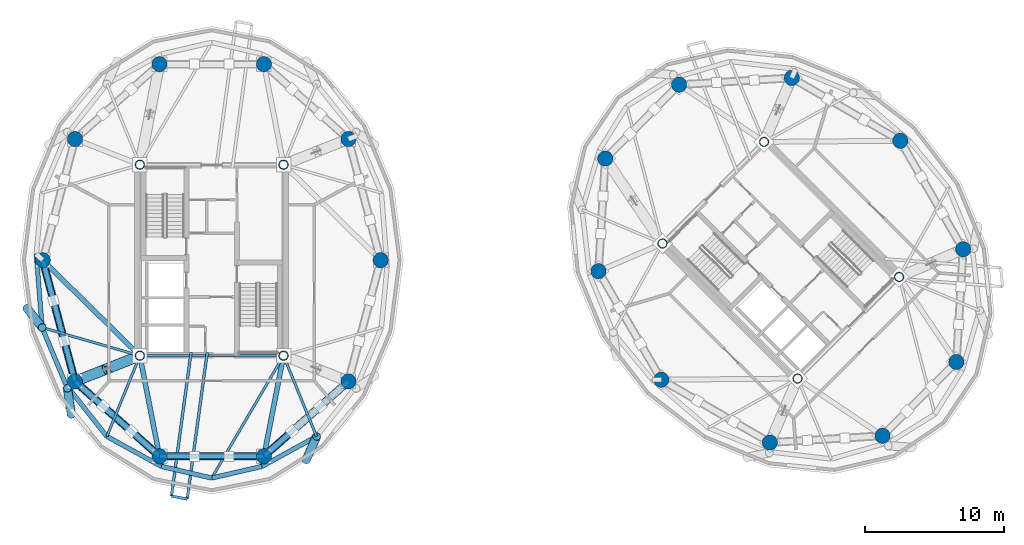
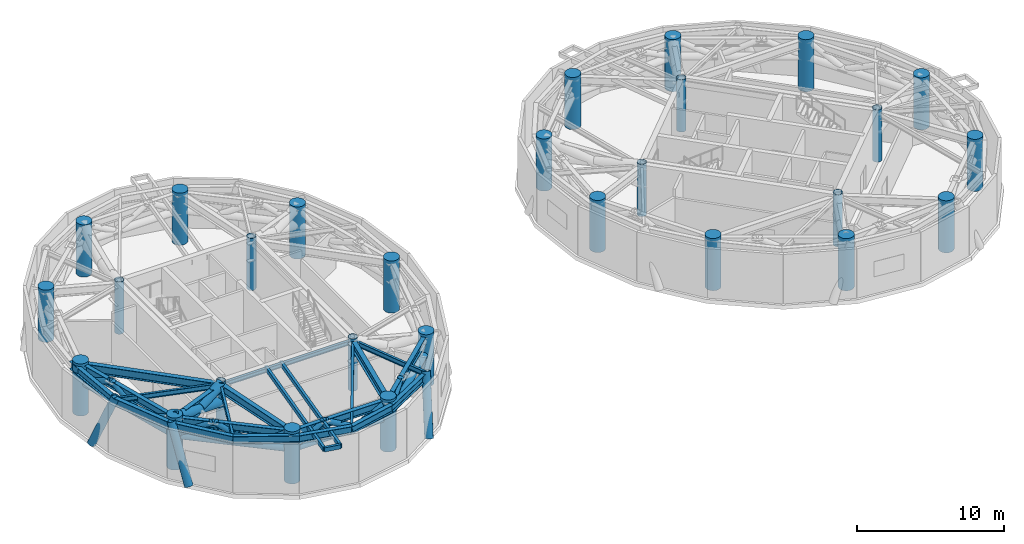
# One storey, part 1 of 14: 28 columns, 23 beams, 20 members.
"""IFC4 building model written with IfcOpenShell, lengths in metres."""

from ifc_helpers import new_model, si_unit, direction, frame, origin, origin_2d, place, context, subcontext, project, spatial, hollow_rectangle, circle, hollow_circle, i_section, extrude, material, material_profile, profile_set, type_object, element, save


model = new_model("IFC4")

# Units and contexts
model_context = context("Model", 3, precision=1e-05, world=origin(), true_north=direction((0.0, 1.0)))
body_context = subcontext(model_context, "Body", "Model", "MODEL_VIEW")
ifc_project = project(units=[si_unit("LENGTHUNIT", "METRE"), si_unit("AREAUNIT", "SQUARE_METRE"), si_unit("VOLUMEUNIT", "CUBIC_METRE"), si_unit("PLANEANGLEUNIT", "RADIAN"), si_unit("MASSUNIT", "GRAM", prefix="KILO")], contexts=[model_context])

# Site, building, storey
site_placement = place(None, origin())
site = spatial("IfcSite", under=ifc_project, at=site_placement, CompositionType="ELEMENT")
building_placement = place(site_placement, origin())
building = spatial("IfcBuilding", under=site, at=building_placement, Name="Cununo Teusaquillo Station Towers", CompositionType="ELEMENT")
storey_placement = place(building_placement, frame((0.0, 0.0, 192.340087890625)))
storey = spatial("IfcBuildingStorey", under=building, at=storey_placement, Name="L61", CompositionType="ELEMENT", Elevation=192.340087890625)

# Columns
ifc_material_1 = material(Name="Steel EN 10025-2 S355J2", Category="steel")
ifc_material_profile_1 = material_profile(ifc_material_1, hollow_circle(Radius=0.330078125, WallThickness=0.02490234375, at=origin_2d()), Name="CHS 660x25")
ifc_profile_set_1 = profile_set([ifc_material_profile_1], Name="Steel EN 10025-2 S355J2")
column_type_1 = type_object("IfcColumnType", Name="COL-CORE-Z3", PredefinedType="COLUMN", material=ifc_profile_set_1)
for number, where, z_axis, x_axis, name in (
    (1, (11.324951171875, 17.6201171875, 0.0), (0.0, 0.0, 1.0), (1.0, 0.0, 0.0), "L61 Tower A Core Column 1"),
    (2, (11.324951171875, 31.3798828125, 0.0), (0.0, 0.0, 1.0), (1.0, 0.0, 0.0), "L61 Tower A Core Column 2"),
    (3, (21.675048828125, 17.6201171875, 0.0), (0.0, 0.0, 1.0), (1.0, 0.0, 0.0), "L61 Tower A Core Column 3"),
    (4, (21.675048828125, 31.3798828125, 0.0), (0.0, 0.0, 1.0), (1.0, 0.0, 0.0), "L61 Tower A Core Column 4"),
    (5, (58.70556640625, 15.975830078125, 0.0), (0.0, 0.0, 1.0), (0.707106781187, 0.707106781187, 0.0), "L61 Tower B Core Column 1"),
    (6, (48.975830078125, 25.70556640625, 0.0), (0.0, 0.0, 1.0), (0.707106781187, 0.707106781187, 0.0), "L61 Tower B Core Column 2"),
    (7, (66.024169921875, 23.29443359375, 0.0), (0.0, 0.0, 1.0), (0.707106781187, 0.707106781187, 0.0), "L61 Tower B Core Column 3"),
    (8, (56.29443359375, 33.024169921875, 0.0), (0.0, 0.0, 1.0), (0.707106781187, 0.707106781187, 0.0), "L61 Tower B Core Column 4"),
):
    element("IfcColumn", number, at=place(storey_placement, frame(where, z_axis=z_axis, x_axis=x_axis)), inside=storey, type_object=column_type_1, Name=name, PredefinedType="COLUMN", context=body_context, shape_type="SweptSolid", body=[
        extrude(hollow_circle(Radius=0.330078125, WallThickness=0.02490234375, at=origin_2d()), origin(), (0.0, 0.0, 1.0), 4.31982421875),
    ])
ifc_material_2 = material(Name="Concrete C50/60", Category="concrete")
ifc_material_profile_2 = material_profile(ifc_material_2, circle(Radius=0.550048828125, at=origin_2d()), Name="RC-CIRC-1100")
ifc_profile_set_2 = profile_set([ifc_material_profile_2], Name="Concrete C50/60")
column_type_2 = type_object("IfcColumnType", Name="COL-MEGA-Z4", PredefinedType="USERDEFINED", material=ifc_profile_set_2)
for number, where, z_axis, x_axis, name in (
    (9, (28.672119140625, 24.5, 0.0), (0.0, 0.0, 1.0), (1.0, 0.0, 0.0), "L61 Tower A Perimeter Column V00"),
    (10, (26.347412109375, 33.228515625, 0.0), (0.0, 0.0, 1.0), (1.0, 0.0, 0.0), "L61 Tower A Perimeter Column V02"),
    (11, (20.261474609375, 38.623291015625, 0.0), (0.0, 0.0, 1.0), (1.0, 0.0, 0.0), "L61 Tower A Perimeter Column V04"),
    (12, (12.738525390625, 38.623291015625, 0.0), (0.0, 0.0, 1.0), (1.0, 0.0, 0.0), "L61 Tower A Perimeter Column V06"),
    (13, (6.652587890625, 33.228515625, 0.0), (0.0, 0.0, 1.0), (1.0, 0.0, 0.0), "L61 Tower A Perimeter Column V08"),
    (14, (4.327880859375, 24.5, 0.0), (0.0, 0.0, 1.0), (1.0, 0.0, 0.0), "L61 Tower A Perimeter Column V10"),
    (15, (6.652587890625, 15.771484375, 0.0), (0.0, 0.0, 1.0), (1.0, 0.0, 0.0), "L61 Tower A Perimeter Column V12"),
    (16, (12.738525390625, 10.376708984375, 0.0), (0.0, 0.0, 1.0), (1.0, 0.0, 0.0), "L61 Tower A Perimeter Column V14"),
    (17, (20.261474609375, 10.376708984375, 0.0), (0.0, 0.0, 1.0), (1.0, 0.0, 0.0), "L61 Tower A Perimeter Column V16"),
    (18, (26.347412109375, 15.771484375, 0.0), (0.0, 0.0, 1.0), (1.0, 0.0, 0.0), "L61 Tower A Perimeter Column V18"),
    (19, (66.10693359375, 33.10693359375, 0.0), (0.0, 0.0, 1.0), (1.0, 0.0, 0.0), "L61 Tower B Perimeter Column V00"),
    (20, (58.291015625, 37.63525390625, 0.0), (0.0, 0.0, 1.0), (1.0, 0.0, 0.0), "L61 Tower B Perimeter Column V02"),
    (21, (50.173095703125, 37.146240234375, 0.0), (0.0, 0.0, 1.0), (1.0, 0.0, 0.0), "L61 Tower B Perimeter Column V04"),
    (22, (44.853759765625, 31.826904296875, 0.0), (0.0, 0.0, 1.0), (1.0, 0.0, 0.0), "L61 Tower B Perimeter Column V06"),
    (23, (44.36474609375, 23.708984375, 0.0), (0.0, 0.0, 1.0), (1.0, 0.0, 0.0), "L61 Tower B Perimeter Column V08"),
    (24, (48.89306640625, 15.89306640625, 0.0), (0.0, 0.0, 1.0), (1.0, 0.0, 0.0), "L61 Tower B Perimeter Column V10"),
    (25, (56.708984375, 11.36474609375, 0.0), (0.0, 0.0, 1.0), (1.0, 0.0, 0.0), "L61 Tower B Perimeter Column V12"),
    (26, (64.826904296875, 11.853759765625, 0.0), (0.0, 0.0, 1.0), (1.0, 0.0, 0.0), "L61 Tower B Perimeter Column V14"),
    (27, (70.146240234375, 17.173095703125, 0.0), (0.0, 0.0, 1.0), (1.0, 0.0, 0.0), "L61 Tower B Perimeter Column V16"),
    (28, (70.63525390625, 25.291015625, 0.0), (0.0, 0.0, 1.0), (1.0, 0.0, 0.0), "L61 Tower B Perimeter Column V18"),
):
    element("IfcColumn", number, at=place(storey_placement, frame(where, z_axis=z_axis, x_axis=x_axis)), inside=storey, type_object=column_type_2, Name=name, ObjectType="MEGA COLUMN", PredefinedType="USERDEFINED", context=body_context, shape_type="SweptSolid", body=[
        extrude(circle(Radius=0.550048828125, at=origin_2d()), origin(), (0.0, 0.0, 1.0), 4.31982421875),
    ])

# Beams
ifc_material_3 = material(Name="Steel EN 10025-2 S355J2", Category="steel")
ifc_material_profile_3 = material_profile(ifc_material_3, hollow_rectangle(XDim=0.199951171875, YDim=0.35009765625, WallThickness=0.013916015625, at=origin_2d()), Name="RHS 350x200x14")
ifc_profile_set_3 = profile_set([ifc_material_profile_3], Name="Steel EN 10025-2 S355J2")
beam_type_1 = type_object("IfcBeamType", Name="BM-BAL-CANT", PredefinedType="BEAM", material=ifc_profile_set_3)
beam_1_placement = place(storey_placement, frame((15.0107421875, 17.85009765625, 3.934814453125), z_axis=(-0.135018196505, -0.990843119072, 0.0), x_axis=(0.990843119072, -0.135018196505, 0.0)))
element("IfcBeam", 29, at=beam_1_placement, inside=storey, type_object=beam_type_1, Name="L61 Tower A Balcony Cantilever Bracket 2A", PredefinedType="BEAM", context=body_context, shape_type="SweptSolid", body=[
    extrude(hollow_rectangle(XDim=0.199951171875, YDim=0.35009765625, WallThickness=0.013916015625, at=origin_2d()), origin(), (0.0, 0.0, 1.0), 10.43505859375),
])
beam_2_placement = place(storey_placement, frame((16.177001953125, 17.85009765625, 3.934814453125), z_axis=(-0.135006880627, -0.990844660975, 0.0), x_axis=(0.990844660975, -0.135006880627, 0.0)))
element("IfcBeam", 30, at=beam_2_placement, inside=storey, type_object=beam_type_1, Name="L61 Tower A Balcony Cantilever Bracket 2B", PredefinedType="BEAM", context=body_context, shape_type="SweptSolid", body=[
    extrude(hollow_rectangle(XDim=0.199951171875, YDim=0.35009765625, WallThickness=0.013916015625, at=origin_2d()), origin(), (0.0, 0.0, 1.0), 10.65673828125),
])
ifc_material_4 = material(Name="Steel ASTM A572 Grade 50", Category="steel")
ifc_material_profile_4 = material_profile(ifc_material_4, i_section(OverallWidth=0.180908203125, OverallDepth=0.4169921875, WebThickness=0.010986328125, FlangeThickness=0.018310546875, FilletRadius=0.012939453125, at=origin_2d()), Name="W16X57")
ifc_profile_set_4 = profile_set([ifc_material_profile_4], Name="Steel ASTM A572 Grade 50")
beam_type_2 = type_object("IfcBeamType", Name="BM-JOIST-1", PredefinedType="JOIST", material=ifc_profile_set_4)
beam_3_placement = place(storey_placement, frame((11.324951171875, 17.6201171875, 3.9013671875), z_axis=(-0.960861603375, 0.277028841748, 0.0), x_axis=(-0.277028841748, -0.960861603375, 0.0)))
element("IfcBeam", 31, at=beam_3_placement, inside=storey, type_object=beam_type_2, Name="L61 Tower A Radial Spandrel Joist V11", PredefinedType="JOIST", context=body_context, shape_type="SweptSolid", body=[
    extrude(i_section(OverallWidth=0.180908203125, OverallDepth=0.4169921875, WebThickness=0.010986328125, FlangeThickness=0.018310546875, FilletRadius=0.012939453125, at=origin_2d()), origin(), (0.0, 0.0, 1.0), 7.333251953125),
])
beam_4_placement = place(storey_placement, frame((11.324951171875, 17.6201171875, 3.9013671875), z_axis=(-0.378576847217, -0.925569862707, 0.0), x_axis=(0.925569862707, -0.378576847217, 0.0)))
element("IfcBeam", 32, at=beam_4_placement, inside=storey, type_object=beam_type_2, Name="L61 Tower A Radial Spandrel Joist V13", PredefinedType="JOIST", context=body_context, shape_type="SweptSolid", body=[
    extrude(i_section(OverallWidth=0.180908203125, OverallDepth=0.4169921875, WebThickness=0.010986328125, FlangeThickness=0.018310546875, FilletRadius=0.012939453125, at=origin_2d()), origin(), (0.0, 0.0, 1.0), 6.28125),
])
beam_5_placement = place(storey_placement, frame((21.675048828125, 17.6201171875, 3.9013671875), z_axis=(-0.506486432091, -0.862247930765, 0.0), x_axis=(0.862247930765, -0.506486432091, 0.0)))
element("IfcBeam", 33, at=beam_5_placement, inside=storey, type_object=beam_type_2, Name="L61 Tower A Radial Spandrel Joist V15", PredefinedType="JOIST", context=body_context, shape_type="SweptSolid", body=[
    extrude(i_section(OverallWidth=0.180908203125, OverallDepth=0.4169921875, WebThickness=0.010986328125, FlangeThickness=0.018310546875, FilletRadius=0.012939453125, at=origin_2d()), origin(), (0.0, 0.0, 1.0), 10.217529296875),
])
beam_6_placement = place(storey_placement, frame((21.675048828125, 17.6201171875, 3.9013671875), z_axis=(0.378576847217, -0.925569862707, 0.0), x_axis=(0.925569862707, 0.378576847217, 0.0)))
element("IfcBeam", 34, at=beam_6_placement, inside=storey, type_object=beam_type_2, Name="L61 Tower A Radial Spandrel Joist V17", PredefinedType="JOIST", context=body_context, shape_type="SweptSolid", body=[
    extrude(i_section(OverallWidth=0.180908203125, OverallDepth=0.4169921875, WebThickness=0.010986328125, FlangeThickness=0.018310546875, FilletRadius=0.012939453125, at=origin_2d()), origin(), (0.0, 0.0, 1.0), 6.28125),
])
ifc_material_5 = material(Name="Steel ASTM A572 Grade 50", Category="steel")
ifc_material_profile_5 = material_profile(ifc_material_5, i_section(OverallWidth=0.2041015625, OverallDepth=0.35009765625, WebThickness=0.008544921875, FlangeThickness=0.01513671875, FilletRadius=0.011962890625, at=origin_2d()), Name="W14X48")
ifc_profile_set_5 = profile_set([ifc_material_profile_5], Name="Steel ASTM A572 Grade 50")
beam_type_3 = type_object("IfcBeamType", Name="BM-LINTEL-1", PredefinedType="LINTEL", material=ifc_profile_set_5)
beam_7_placement = place(storey_placement, frame((11.324951171875, 17.6201171875, 3.934814453125), z_axis=(1.0, 0.0, 0.0), x_axis=(0.0, 1.0, 0.0)))
element("IfcBeam", 35, at=beam_7_placement, inside=storey, type_object=beam_type_3, Name="L61 Tower A Core Beam 3", PredefinedType="LINTEL", context=body_context, shape_type="SweptSolid", body=[
    extrude(i_section(OverallWidth=0.2041015625, OverallDepth=0.35009765625, WebThickness=0.008544921875, FlangeThickness=0.01513671875, FilletRadius=0.011962890625, at=origin_2d()), origin(), (0.0, 0.0, 1.0), 10.35009765625),
])
ifc_material_6 = material(Name="Steel ASTM A572 Grade 50", Category="steel")
ifc_material_profile_6 = material_profile(ifc_material_6, i_section(OverallWidth=0.35498046875, OverallDepth=0.696044921875, WebThickness=0.015380859375, FlangeThickness=0.02490234375, FilletRadius=0.01806640625, at=origin_2d()), Name="W27X146")
ifc_profile_set_6 = profile_set([ifc_material_profile_6], Name="Steel ASTM A572 Grade 50")
beam_type_4 = type_object("IfcBeamType", Name="BM-PLNT-G1", PredefinedType="BEAM", material=ifc_profile_set_6)
beam_8_placement = place(storey_placement, frame((11.324951171875, 17.6201171875, 3.761962890625), z_axis=(-0.713052701438, 0.701110437073, 0.0), x_axis=(-0.701110437073, -0.713052701438, 0.0)))
element("IfcBeam", 36, at=beam_8_placement, inside=storey, type_object=beam_type_4, Name="L61 Tower A Radial Girder 06A", PredefinedType="BEAM", context=body_context, shape_type="SweptSolid", body=[
    extrude(i_section(OverallWidth=0.35498046875, OverallDepth=0.696044921875, WebThickness=0.015380859375, FlangeThickness=0.02490234375, FilletRadius=0.01806640625, at=origin_2d()), origin(), (0.0, 0.0, 1.0), 9.812744140625),
])
beam_9_placement = place(storey_placement, frame((11.324951171875, 17.6201171875, 3.761962890625), z_axis=(-0.929851670487, -0.36793460138, 0.0), x_axis=(0.36793460138, -0.929851670487, 0.0)))
element("IfcBeam", 37, at=beam_9_placement, inside=storey, type_object=beam_type_4, Name="L61 Tower A Continuous Overhanging Radial Girder 07", PredefinedType="BEAM", context=body_context, shape_type="SweptSolid", body=[
    extrude(i_section(OverallWidth=0.35498046875, OverallDepth=0.696044921875, WebThickness=0.015380859375, FlangeThickness=0.02490234375, FilletRadius=0.01806640625, at=origin_2d()), origin(), (0.0, 0.0, 1.0), 5.71630859375),
])
for number, where, z_axis, x_axis, name in (
    (38, (11.324951171875, 17.6201171875, 3.761962890625), (0.191548487699, -0.981483151593, 0.0), (0.981483151593, 0.191548487699, 0.0), "L61 Tower A Continuous Overhanging Radial Girder 08"),
    (39, (21.675048828125, 17.6201171875, 3.761962890625), (-0.191548487699, -0.981483151593, 0.0), (0.981483151593, -0.191548487699, 0.0), "L61 Tower A Continuous Overhanging Radial Girder 09"),
):
    element("IfcBeam", number, at=place(storey_placement, frame(where, z_axis=z_axis, x_axis=x_axis)), inside=storey, type_object=beam_type_4, Name=name, PredefinedType="BEAM", context=body_context, shape_type="SweptSolid", body=[
        extrude(i_section(OverallWidth=0.35498046875, OverallDepth=0.696044921875, WebThickness=0.015380859375, FlangeThickness=0.02490234375, FilletRadius=0.01806640625, at=origin_2d()), origin(), (0.0, 0.0, 1.0), 8.1240234375),
    ])
ifc_material_7 = material(Name="Steel ASTM A572 Grade 50", Category="steel")
ifc_material_profile_7 = material_profile(ifc_material_7, i_section(OverallWidth=0.324951171875, OverallDepth=0.615966796875, WebThickness=0.013916015625, FlangeThickness=0.021484375, FilletRadius=0.01611328125, at=origin_2d()), Name="W24X117")
ifc_profile_set_7 = profile_set([ifc_material_profile_7], Name="Steel ASTM A572 Grade 50")
beam_type_5 = type_object("IfcBeamType", Name="BM-PLNT-G2", PredefinedType="BEAM", material=ifc_profile_set_7)
beam_10_placement = place(storey_placement, frame((4.327880859375, 24.5, 3.802001953125), z_axis=(0.257363196347, -0.966314744359, 0.0), x_axis=(0.966314744359, 0.257363196347, 0.0)))
element("IfcBeam", 40, at=beam_10_placement, inside=storey, type_object=beam_type_5, Name="L61 Tower A Structural Column Ring Girder 06", PredefinedType="BEAM", context=body_context, shape_type="SweptSolid", body=[
    extrude(i_section(OverallWidth=0.324951171875, OverallDepth=0.615966796875, WebThickness=0.013916015625, FlangeThickness=0.021484375, FilletRadius=0.01611328125, at=origin_2d()), origin(), (0.0, 0.0, 1.0), 9.03271484375),
])
beam_11_placement = place(storey_placement, frame((6.652587890625, 15.771484375, 3.802001953125), z_axis=(0.74832120039, -0.66333655187, 0.0), x_axis=(0.66333655187, 0.74832120039, 0.0)))
element("IfcBeam", 41, at=beam_11_placement, inside=storey, type_object=beam_type_5, Name="L61 Tower A Structural Column Ring Girder 07", PredefinedType="BEAM", context=body_context, shape_type="SweptSolid", body=[
    extrude(i_section(OverallWidth=0.324951171875, OverallDepth=0.615966796875, WebThickness=0.013916015625, FlangeThickness=0.021484375, FilletRadius=0.01611328125, at=origin_2d()), origin(), (0.0, 0.0, 1.0), 8.1328125),
])
beam_12_placement = place(storey_placement, frame((12.738525390625, 10.376708984375, 3.802001953125), z_axis=(1.0, 0.0, 0.0), x_axis=(0.0, 1.0, 0.0)))
element("IfcBeam", 42, at=beam_12_placement, inside=storey, type_object=beam_type_5, Name="L61 Tower A Structural Column Ring Girder 08", PredefinedType="BEAM", context=body_context, shape_type="SweptSolid", body=[
    extrude(i_section(OverallWidth=0.324951171875, OverallDepth=0.615966796875, WebThickness=0.013916015625, FlangeThickness=0.021484375, FilletRadius=0.01611328125, at=origin_2d()), origin(), (0.0, 0.0, 1.0), 7.52294921875),
])
beam_13_placement = place(storey_placement, frame((20.261474609375, 10.376708984375, 3.802001953125), z_axis=(0.74832120039, 0.66333655187, 0.0), x_axis=(-0.66333655187, 0.74832120039, 0.0)))
element("IfcBeam", 43, at=beam_13_placement, inside=storey, type_object=beam_type_5, Name="L61 Tower A Structural Column Ring Girder 09", PredefinedType="BEAM", context=body_context, shape_type="SweptSolid", body=[
    extrude(i_section(OverallWidth=0.324951171875, OverallDepth=0.615966796875, WebThickness=0.013916015625, FlangeThickness=0.021484375, FilletRadius=0.01611328125, at=origin_2d()), origin(), (0.0, 0.0, 1.0), 8.1328125),
])
beam_14_placement = place(storey_placement, frame((3.864501953125, 24.955810546875, 3.802001953125), z_axis=(0.077871988965, -0.996963366095, 0.0), x_axis=(0.996963366095, 0.077871988965, 0.0)))
element("IfcBeam", 44, at=beam_14_placement, inside=storey, type_object=beam_type_5, Name="L61 Tower A Spandrel Ring Beam 11", PredefinedType="BEAM", context=body_context, shape_type="SweptSolid", body=[
    extrude(i_section(OverallWidth=0.324951171875, OverallDepth=0.615966796875, WebThickness=0.013916015625, FlangeThickness=0.021484375, FilletRadius=0.01611328125, at=origin_2d()), origin(), (0.0, 0.0, 1.0), 5.3203125),
])
beam_15_placement = place(storey_placement, frame((4.27880859375, 19.651611328125, 3.802001953125), z_axis=(0.386115454066, -0.922450462698, 0.0), x_axis=(0.922450462698, 0.386115454066, 0.0)))
element("IfcBeam", 45, at=beam_15_placement, inside=storey, type_object=beam_type_5, Name="L61 Tower A Spandrel Ring Beam 12", PredefinedType="BEAM", context=body_context, shape_type="SweptSolid", body=[
    extrude(i_section(OverallWidth=0.324951171875, OverallDepth=0.615966796875, WebThickness=0.013916015625, FlangeThickness=0.021484375, FilletRadius=0.01611328125, at=origin_2d()), origin(), (0.0, 0.0, 1.0), 4.482421875),
])
beam_16_placement = place(storey_placement, frame((6.009521484375, 15.516845703125, 3.802001953125), z_axis=(0.620710872531, -0.784039547932, 0.0), x_axis=(0.784039547932, 0.620710872531, 0.0)))
element("IfcBeam", 46, at=beam_16_placement, inside=storey, type_object=beam_type_5, Name="L61 Tower A Spandrel Ring Beam 13", PredefinedType="BEAM", context=body_context, shape_type="SweptSolid", body=[
    extrude(i_section(OverallWidth=0.324951171875, OverallDepth=0.615966796875, WebThickness=0.013916015625, FlangeThickness=0.021484375, FilletRadius=0.01611328125, at=origin_2d()), origin(), (0.0, 0.0, 1.0), 4.732421875),
])
beam_17_placement = place(storey_placement, frame((8.947021484375, 11.806396484375, 3.802001953125), z_axis=(0.876576300909, -0.481262910149, 0.0), x_axis=(0.481262910149, 0.876576300909, 0.0)))
element("IfcBeam", 47, at=beam_17_placement, inside=storey, type_object=beam_type_5, Name="L61 Tower A Spandrel Ring Beam 14", PredefinedType="BEAM", context=body_context, shape_type="SweptSolid", body=[
    extrude(i_section(OverallWidth=0.324951171875, OverallDepth=0.615966796875, WebThickness=0.013916015625, FlangeThickness=0.021484375, FilletRadius=0.01611328125, at=origin_2d()), origin(), (0.0, 0.0, 1.0), 4.488037109375),
])
for number, where, z_axis, x_axis, name in (
    (48, (12.881103515625, 9.646484375, 3.802001953125), (0.97431470066, -0.225190728224, 0.0), (0.225190728224, 0.97431470066, 0.0), "L61 Tower A Spandrel Ring Beam 15"),
    (49, (16.5, 8.81005859375, 3.802001953125), (0.97431470066, 0.225190728224, 0.0), (-0.225190728224, 0.97431470066, 0.0), "L61 Tower A Spandrel Ring Beam 16"),
):
    element("IfcBeam", number, at=place(storey_placement, frame(where, z_axis=z_axis, x_axis=x_axis)), inside=storey, type_object=beam_type_5, Name=name, PredefinedType="BEAM", context=body_context, shape_type="SweptSolid", body=[
        extrude(i_section(OverallWidth=0.324951171875, OverallDepth=0.615966796875, WebThickness=0.013916015625, FlangeThickness=0.021484375, FilletRadius=0.01611328125, at=origin_2d()), origin(), (0.0, 0.0, 1.0), 3.71435546875),
    ])
beam_18_placement = place(storey_placement, frame((20.118896484375, 9.646484375, 3.802001953125), z_axis=(0.876576300909, 0.481262910149, 0.0), x_axis=(-0.481262910149, 0.876576300909, 0.0)))
element("IfcBeam", 50, at=beam_18_placement, inside=storey, type_object=beam_type_5, Name="L61 Tower A Spandrel Ring Beam 17", PredefinedType="BEAM", context=body_context, shape_type="SweptSolid", body=[
    extrude(i_section(OverallWidth=0.324951171875, OverallDepth=0.615966796875, WebThickness=0.013916015625, FlangeThickness=0.021484375, FilletRadius=0.01611328125, at=origin_2d()), origin(), (0.0, 0.0, 1.0), 4.488037109375),
])
ifc_material_8 = material(Name="Steel EN 10025-2 S355J2", Category="steel")
ifc_material_profile_8 = material_profile(ifc_material_8, hollow_rectangle(XDim=0.199951171875, YDim=0.35009765625, WallThickness=0.013916015625, at=origin_2d()), Name="RHS 350x200x14")
ifc_profile_set_8 = profile_set([ifc_material_profile_8], Name="Steel EN 10025-2 S355J2")
beam_type_6 = type_object("IfcBeamType", Name="BM-STAIR-TRIM", PredefinedType="BEAM", material=ifc_profile_set_8)
beam_19_placement = place(storey_placement, frame((13.601806640625, 7.510498046875, 3.934814453125), z_axis=(0.981857200028, -0.189621830897, 0.0), x_axis=(0.189621830897, 0.981857200028, 0.0)))
element("IfcBeam", 51, at=beam_19_placement, inside=storey, type_object=beam_type_6, Name="L61 Tower A Balcony Edge Trimmer Beam 2", PredefinedType="BEAM", context=body_context, shape_type="SweptSolid", body=[
    extrude(hollow_rectangle(XDim=0.199951171875, YDim=0.35009765625, WallThickness=0.013916015625, at=origin_2d()), origin(), (0.0, 0.0, 1.0), 1.157470703125),
])

# Members
ifc_material_9 = material(Name="Steel EN 10025-2 S355J2", Category="steel")
ifc_material_profile_9 = material_profile(ifc_material_9, hollow_circle(Radius=0.279541015625, WallThickness=0.02001953125, at=origin_2d()), Name="CHS 559x20")
ifc_profile_set_9 = profile_set([ifc_material_profile_9], Name="Steel EN 10025-2 S355J2")
member_type_1 = type_object("IfcMemberType", Name="MBR-BELT-CH", PredefinedType="CHORD", material=ifc_profile_set_9)
member_1_placement = place(storey_placement, frame((4.327880859375, 24.5, 2.579833984375), z_axis=(0.257363196347, -0.966314744359, 0.0), x_axis=(0.966314744359, 0.257363196347, 0.0)))
element("IfcMember", 52, at=member_1_placement, inside=storey, type_object=member_type_1, Name="L61 Tower A Belt Truss Lower Chord 06", PredefinedType="CHORD", context=body_context, shape_type="SweptSolid", body=[
    extrude(hollow_circle(Radius=0.279541015625, WallThickness=0.02001953125, at=origin_2d()), origin(), (0.0, 0.0, 1.0), 9.03271484375),
])
member_2_placement = place(storey_placement, frame((6.652587890625, 15.771484375, 2.579833984375), z_axis=(0.74832120039, -0.66333655187, 0.0), x_axis=(0.66333655187, 0.74832120039, 0.0)))
element("IfcMember", 53, at=member_2_placement, inside=storey, type_object=member_type_1, Name="L61 Tower A Belt Truss Lower Chord 07", PredefinedType="CHORD", context=body_context, shape_type="SweptSolid", body=[
    extrude(hollow_circle(Radius=0.279541015625, WallThickness=0.02001953125, at=origin_2d()), origin(), (0.0, 0.0, 1.0), 8.1328125),
])
member_3_placement = place(storey_placement, frame((12.738525390625, 10.376708984375, 2.579833984375), z_axis=(1.0, 0.0, 0.0), x_axis=(0.0, 1.0, 0.0)))
element("IfcMember", 54, at=member_3_placement, inside=storey, type_object=member_type_1, Name="L61 Tower A Belt Truss Lower Chord 08", PredefinedType="CHORD", context=body_context, shape_type="SweptSolid", body=[
    extrude(hollow_circle(Radius=0.279541015625, WallThickness=0.02001953125, at=origin_2d()), origin(), (0.0, 0.0, 1.0), 7.52294921875),
])
member_4_placement = place(storey_placement, frame((20.261474609375, 10.376708984375, 2.579833984375), z_axis=(0.74832120039, 0.66333655187, 0.0), x_axis=(-0.66333655187, 0.74832120039, 0.0)))
element("IfcMember", 55, at=member_4_placement, inside=storey, type_object=member_type_1, Name="L61 Tower A Belt Truss Lower Chord 09", PredefinedType="CHORD", context=body_context, shape_type="SweptSolid", body=[
    extrude(hollow_circle(Radius=0.279541015625, WallThickness=0.02001953125, at=origin_2d()), origin(), (0.0, 0.0, 1.0), 8.1328125),
])
ifc_material_10 = material(Name="Steel EN 10025-2 S355J2", Category="steel")
ifc_material_profile_10 = material_profile(ifc_material_10, hollow_circle(Radius=0.228515625, WallThickness=0.01611328125, at=origin_2d()), Name="CHS 457x16")
ifc_profile_set_10 = profile_set([ifc_material_profile_10], Name="Steel EN 10025-2 S355J2")
member_type_2 = type_object("IfcMemberType", Name="MBR-BELT-WB", PredefinedType="BRACE", material=ifc_profile_set_10)
member_5_placement = place(storey_placement, frame((4.327880859375, 24.5, 2.579833984375), z_axis=(0.231874873286, -0.870590064572, 0.433943524675), x_axis=(0.96631295405, 0.257369918281, 0.0)))
element("IfcMember", 56, at=member_5_placement, inside=storey, type_object=member_type_2, Name="L61 Tower A Belt Truss Warren Brace 06A", PredefinedType="BRACE", context=body_context, shape_type="SweptSolid", body=[
    extrude(hollow_circle(Radius=0.228515625, WallThickness=0.01611328125, at=origin_2d()), origin(), (0.0, 0.0, 1.0), 3.341796875),
])
member_6_placement = place(storey_placement, frame((5.102783203125, 21.590576171875, 4.030029296875), z_axis=(0.231860126718, -0.870607747394, -0.433915927129), x_axis=(0.966318324558, 0.257349753494, 0.0)))
element("IfcMember", 57, at=member_6_placement, inside=storey, type_object=member_type_2, Name="L61 Tower A Belt Truss Warren Brace 06B", PredefinedType="BRACE", context=body_context, shape_type="SweptSolid", body=[
    extrude(hollow_circle(Radius=0.228515625, WallThickness=0.01611328125, at=origin_2d()), origin(), (0.0, 0.0, 1.0), 3.342041015625),
])
member_7_placement = place(storey_placement, frame((5.877685546875, 18.680908203125, 2.579833984375), z_axis=(0.231874873286, -0.870590064572, 0.433943524675), x_axis=(0.96631295405, 0.257369918281, 0.0)))
element("IfcMember", 58, at=member_7_placement, inside=storey, type_object=member_type_2, Name="L61 Tower A Belt Truss Warren Brace 06C", PredefinedType="BRACE", context=body_context, shape_type="SweptSolid", body=[
    extrude(hollow_circle(Radius=0.228515625, WallThickness=0.01611328125, at=origin_2d()), origin(), (0.0, 0.0, 1.0), 3.341796875),
])
member_8_placement = place(storey_placement, frame((6.652587890625, 15.771484375, 2.579833984375), z_axis=(0.659861274624, -0.584902304317, 0.471669791969), x_axis=(0.663323560468, 0.748332716195, 0.0)))
element("IfcMember", 59, at=member_8_placement, inside=storey, type_object=member_type_2, Name="L61 Tower A Belt Truss Warren Brace 07A", PredefinedType="BRACE", context=body_context, shape_type="SweptSolid", body=[
    extrude(hollow_circle(Radius=0.228515625, WallThickness=0.01611328125, at=origin_2d()), origin(), (0.0, 0.0, 1.0), 3.07470703125),
])
member_9_placement = place(storey_placement, frame((8.681396484375, 13.97314453125, 4.030029296875), z_axis=(0.659847088148, -0.584880708173, -0.471716416367), x_axis=(0.663317831046, 0.748337794727, 0.0)))
element("IfcMember", 60, at=member_9_placement, inside=storey, type_object=member_type_2, Name="L61 Tower A Belt Truss Warren Brace 07B", PredefinedType="BRACE", context=body_context, shape_type="SweptSolid", body=[
    extrude(hollow_circle(Radius=0.228515625, WallThickness=0.01611328125, at=origin_2d()), origin(), (0.0, 0.0, 1.0), 3.07421875),
])
member_10_placement = place(storey_placement, frame((10.7099609375, 12.175048828125, 2.579833984375), z_axis=(0.65981643999, -0.584932951855, 0.471694506384), x_axis=(0.66336826295, 0.748293089445, 0.0)))
element("IfcMember", 61, at=member_10_placement, inside=storey, type_object=member_type_2, Name="L61 Tower A Belt Truss Warren Brace 07C", PredefinedType="BRACE", context=body_context, shape_type="SweptSolid", body=[
    extrude(hollow_circle(Radius=0.228515625, WallThickness=0.01611328125, at=origin_2d()), origin(), (0.0, 0.0, 1.0), 3.074462890625),
])
member_11_placement = place(storey_placement, frame((12.738525390625, 10.376708984375, 2.579833984375), z_axis=(0.865658928937, 0.0, 0.500634216521), x_axis=(0.0, 1.0, 0.0)))
element("IfcMember", 62, at=member_11_placement, inside=storey, type_object=member_type_2, Name="L61 Tower A Belt Truss Warren Brace 08A", PredefinedType="BRACE", context=body_context, shape_type="SweptSolid", body=[
    extrude(hollow_circle(Radius=0.228515625, WallThickness=0.01611328125, at=origin_2d()), origin(), (0.0, 0.0, 1.0), 2.896728515625),
])
member_12_placement = place(storey_placement, frame((15.24609375, 10.376708984375, 4.030029296875), z_axis=(0.865680050576, 0.0, -0.500597692798), x_axis=(0.0, 1.0, 0.0)))
element("IfcMember", 63, at=member_12_placement, inside=storey, type_object=member_type_2, Name="L61 Tower A Belt Truss Warren Brace 08B", PredefinedType="BRACE", context=body_context, shape_type="SweptSolid", body=[
    extrude(hollow_circle(Radius=0.228515625, WallThickness=0.01611328125, at=origin_2d()), origin(), (0.0, 0.0, 1.0), 2.89697265625),
])
member_13_placement = place(storey_placement, frame((17.75390625, 10.376708984375, 2.579833984375), z_axis=(0.865658928937, 0.0, 0.500634216521), x_axis=(0.0, 1.0, 0.0)))
element("IfcMember", 64, at=member_13_placement, inside=storey, type_object=member_type_2, Name="L61 Tower A Belt Truss Warren Brace 08C", PredefinedType="BRACE", context=body_context, shape_type="SweptSolid", body=[
    extrude(hollow_circle(Radius=0.228515625, WallThickness=0.01611328125, at=origin_2d()), origin(), (0.0, 0.0, 1.0), 2.896728515625),
])
member_14_placement = place(storey_placement, frame((20.261474609375, 10.376708984375, 2.579833984375), z_axis=(0.65981643999, 0.584932951855, 0.471694506384), x_axis=(-0.66336826295, 0.748293089445, 0.0)))
element("IfcMember", 65, at=member_14_placement, inside=storey, type_object=member_type_2, Name="L61 Tower A Belt Truss Warren Brace 09A", PredefinedType="BRACE", context=body_context, shape_type="SweptSolid", body=[
    extrude(hollow_circle(Radius=0.228515625, WallThickness=0.01611328125, at=origin_2d()), origin(), (0.0, 0.0, 1.0), 3.074462890625),
])
ifc_material_11 = material(Name="Steel EN 10025-2 S355J2", Category="steel")
ifc_material_profile_11 = material_profile(ifc_material_11, hollow_circle(Radius=0.304931640625, WallThickness=0.02001953125, at=origin_2d()), Name="CHS 610x20")
ifc_profile_set_11 = profile_set([ifc_material_profile_11], Name="Steel EN 10025-2 S355J2")
member_type_3 = type_object("IfcMemberType", Name="MBR-DIAG-Z3", PredefinedType="BRACE", material=ifc_profile_set_11)
member_15_placement = place(storey_placement, frame((3.19775390625, 21.041015625, -0.14013671875), z_axis=(0.231737929338, -0.297836620565, 0.926062027921), x_axis=(0.789240191722, 0.614084619389, 0.0)))
element("IfcMember", 66, at=member_15_placement, inside=storey, type_object=member_type_3, Name="L61 Tower A Folded-Zigzag Diagrid Tube C10", PredefinedType="BRACE", context=body_context, shape_type="SweptSolid", body=[
    extrude(hollow_circle(Radius=0.304931640625, WallThickness=0.02001953125, at=origin_2d()), origin(), (0.0, 0.0, 1.0), 4.6650390625),
])
member_16_placement = place(storey_placement, frame((6.389404296875, 13.392822265625, -0.14013671875), z_axis=(-0.060441249723, 0.399150083714, 0.91489128644), x_axis=(-0.988728721624, -0.149718118598, 0.0)))
element("IfcMember", 67, at=member_16_placement, inside=storey, type_object=member_type_3, Name="L61 Tower A Folded-Zigzag Diagrid Tube C12", PredefinedType="BRACE", context=body_context, shape_type="SweptSolid", body=[
    extrude(hollow_circle(Radius=0.304931640625, WallThickness=0.02001953125, at=origin_2d()), origin(), (0.0, 0.0, 1.0), 4.721923828125),
])
member_17_placement = place(storey_placement, frame((23.3046875, 10.12158203125, -0.14013671875), z_axis=(0.159313551279, 0.358702387398, 0.919756375164), x_axis=(-0.913915280185, 0.405904989678, 0.0)))
element("IfcMember", 68, at=member_17_placement, inside=storey, type_object=member_type_3, Name="L61 Tower A Folded-Zigzag Diagrid Tube C16", PredefinedType="BRACE", context=body_context, shape_type="SweptSolid", body=[
    extrude(hollow_circle(Radius=0.304931640625, WallThickness=0.02001953125, at=origin_2d()), origin(), (0.0, 0.0, 1.0), 4.697021484375),
])
ifc_material_12 = material(Name="Steel EN 10025-2 S355J2", Category="steel")
ifc_material_profile_12 = material_profile(ifc_material_12, hollow_circle(Radius=0.3798828125, WallThickness=0.031982421875, at=origin_2d()), Name="CHS 760x32")
ifc_profile_set_12 = profile_set([ifc_material_profile_12], Name="Steel EN 10025-2 S355J2")
member_type_4 = type_object("IfcMemberType", Name="MBR-OUTR-1", PredefinedType="STRUT", material=ifc_profile_set_12)
member_18_placement = place(storey_placement, frame((11.324951171875, 17.6201171875, 2.579833984375), z_axis=(-0.893400354352, -0.353476198305, 0.277291153979), x_axis=(0.367903176814, -0.929864104313, 0.0)))
element("IfcMember", 69, at=member_18_placement, inside=storey, type_object=member_type_4, Name="L61 Tower A Outrigger Continuous Diagonal 3A", PredefinedType="STRUT", context=body_context, shape_type="SweptSolid", body=[
    extrude(hollow_circle(Radius=0.3798828125, WallThickness=0.031982421875, at=origin_2d()), origin(), (0.0, 0.0, 1.0), 5.22998046875),
])
for number, where, z_axis, x_axis, name in (
    (70, (11.324951171875, 17.6201171875, 4.030029296875), (-0.893374901086, -0.353505498197, -0.277335805216), (0.36793860805, -0.929850085071, 0.0), "L61 Tower A Outrigger Split Upper Strut 3B1"),
    (71, (8.7744140625, 16.61083984375, 3.238525390625), (-0.893407361528, -0.353415545844, -0.277345882108), (0.367846096768, -0.929886686157, 0.0), "L61 Tower A Outrigger Split Lower Strut 3B2"),
):
    element("IfcMember", number, at=place(storey_placement, frame(where, z_axis=z_axis, x_axis=x_axis)), inside=storey, type_object=member_type_4, Name=name, PredefinedType="STRUT", context=body_context, shape_type="SweptSolid", body=[
        extrude(hollow_circle(Radius=0.3798828125, WallThickness=0.031982421875, at=origin_2d()), origin(), (0.0, 0.0, 1.0), 2.375),
    ])

save(model, "model.ifc")
